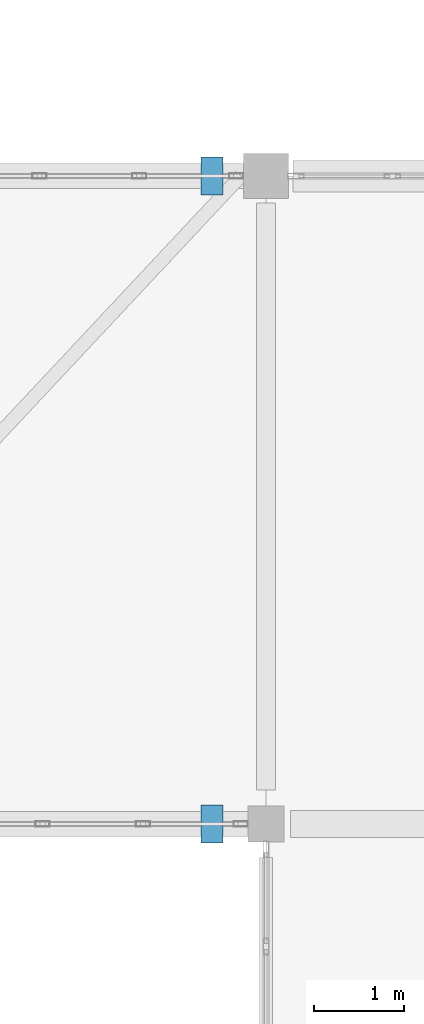
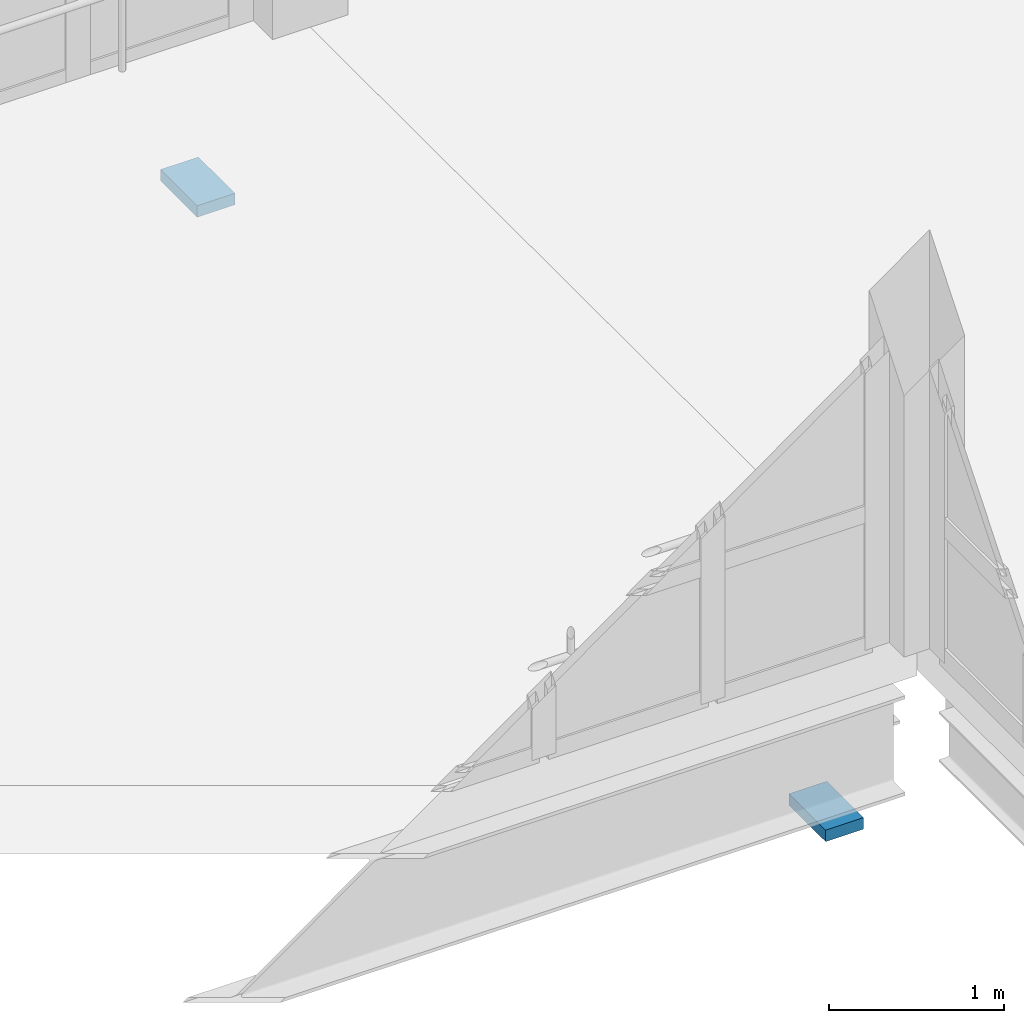
# One storey, part 108 of 116: 2 discrete accessories.
"""IFC4 building model written with IfcOpenShell, lengths in metres."""

from ifc_helpers import new_model, si_unit, direction, frame, origin, origin_2d, place, context, subcontext, project, spatial, rectangle, extrude, material, type_object, element, save


model = new_model("IFC4")

# Units and contexts
model_context = context("Model", 3, precision=1e-05, world=origin(), true_north=direction((0.0, 1.0)))
body_context = subcontext(model_context, "Body", "Model", "MODEL_VIEW")
ifc_project = project(units=[si_unit("LENGTHUNIT", "METRE"), si_unit("AREAUNIT", "SQUARE_METRE"), si_unit("VOLUMEUNIT", "CUBIC_METRE"), si_unit("PLANEANGLEUNIT", "RADIAN"), si_unit("MASSUNIT", "GRAM", prefix="KILO")], contexts=[model_context])

# Site, building, storey
site_placement = place(None, origin())
site = spatial("IfcSite", under=ifc_project, at=site_placement, CompositionType="ELEMENT")
building_placement = place(site_placement, origin())
building = spatial("IfcBuilding", under=site, at=building_placement, Name="Kalluvel Institute of Natural Sciences", CompositionType="ELEMENT")
storey_placement = place(building_placement, frame((0.0, 0.0, 14.39990234375)))
storey = spatial("IfcBuildingStorey", under=building, at=storey_placement, Name="L03", CompositionType="ELEMENT", Elevation=14.39990234375)

# Discrete accessories
ifc_material = material(Name="Steel E350 Grade 350", Category="steel")
discrete_accessory_type = type_object("IfcDiscreteAccessoryType", Name="ACC-PTFE-BRG", PredefinedType="BRACKET", material=ifc_material)
for number, where, z_axis, x_axis, name in (
    (1, (99.800048828125, 28.39990234375, -1.099853515625), (0.0, 0.0, 1.0), (1.0, 0.0, 0.0), "Link bridge PTFE movement bearing 27"),
    (2, (99.800048828125, 35.60009765625, -1.099853515625), (0.0, 0.0, 1.0), (1.0, 0.0, 0.0), "Link bridge PTFE movement bearing 54"),
):
    element("IfcDiscreteAccessory", number, at=place(storey_placement, frame(where, z_axis=z_axis, x_axis=x_axis)), inside=storey, type_object=discrete_accessory_type, Name=name, PredefinedType="BRACKET", context=body_context, shape_type="SweptSolid", body=[
        extrude(rectangle(XDim=0.25, YDim=0.419921875, at=origin_2d()), origin(), (0.0, 0.0, 1.0), 0.080078125),
    ])

save(model, "model.ifc")
